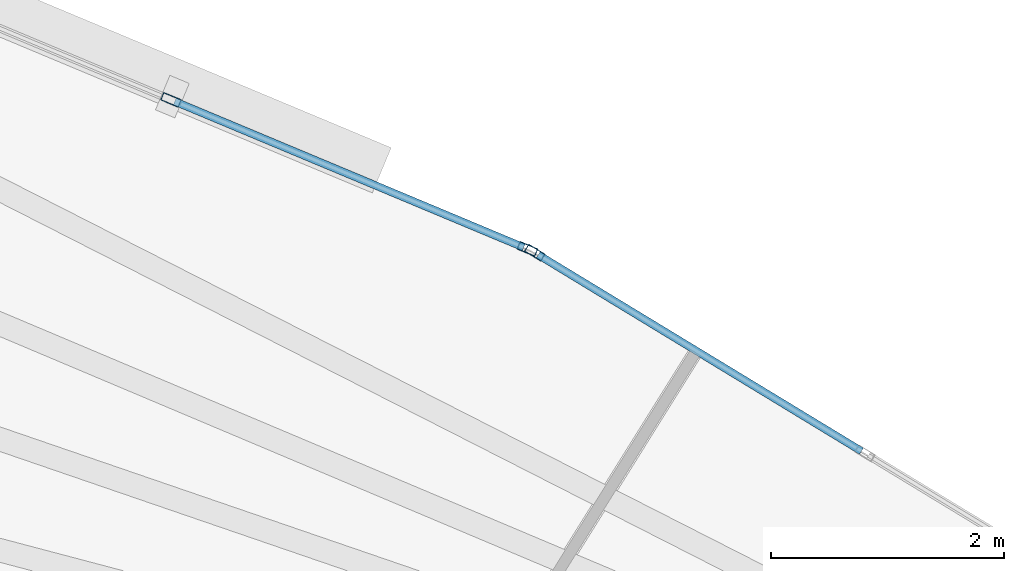
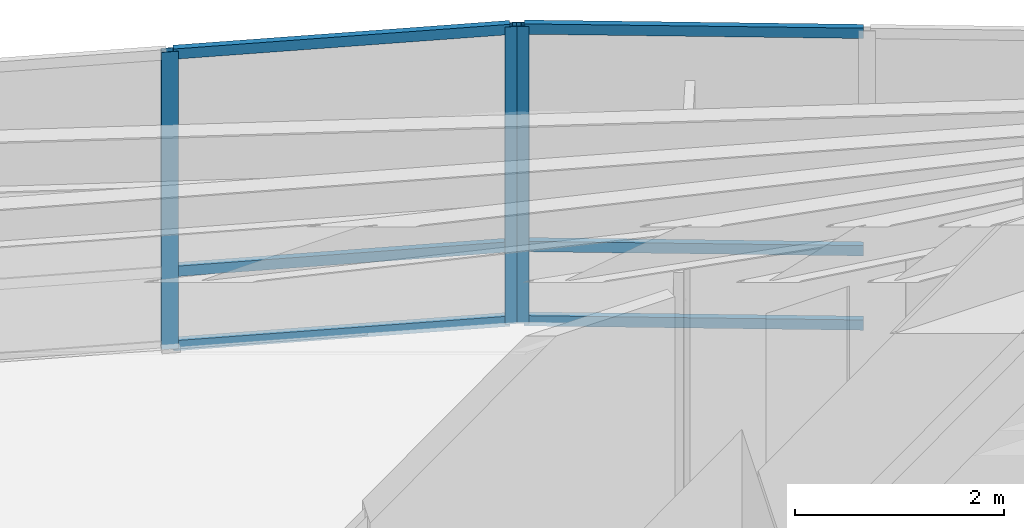
# One storey, part 12 of 18: 9 members, 2 elements without a shape of their own.
"""IFC4 building model written with IfcOpenShell, lengths in metres."""

from ifc_helpers import new_model, si_unit, direction, frame, origin, origin_2d, place, context, subcontext, project, spatial, hollow_rectangle, extrude, material, layer, layer_set, material_profile, profile_set, type_object, element, aggregate, save


model = new_model("IFC4")

# Units and contexts
model_context = context("Model", 3, precision=1e-05, world=origin(), true_north=direction((0.0, 1.0)))
body_context = subcontext(model_context, "Body", "Model", "MODEL_VIEW")
ifc_project = project(units=[si_unit("LENGTHUNIT", "METRE"), si_unit("AREAUNIT", "SQUARE_METRE"), si_unit("VOLUMEUNIT", "CUBIC_METRE"), si_unit("PLANEANGLEUNIT", "RADIAN"), si_unit("MASSUNIT", "GRAM", prefix="KILO")], contexts=[model_context])

# Site, building, storey
site_placement = place(None, origin())
site = spatial("IfcSite", under=ifc_project, at=site_placement, CompositionType="ELEMENT")
building_placement = place(site_placement, origin())
building = spatial("IfcBuilding", under=site, at=building_placement, Name="Menara Vayukalpa", CompositionType="ELEMENT")
storey_placement = place(building_placement, frame((0.0, 0.0, 31.320068359375)))
storey = spatial("IfcBuildingStorey", under=building, at=storey_placement, Name="L06", CompositionType="ELEMENT", Elevation=31.320068359375)

# Curtain wall, member
ifc_material_1 = material(Name="Anodised Terracotta Aluminium Alloy 6063-T6", Category="masonry")
ifc_layer = layer(ifc_material_1, 0.1650390625)
ifc_layer_set = layer_set([ifc_layer], Name="Anodised Terracotta Aluminium Alloy 6063-T6")
curtain_wall_type = type_object("IfcCurtainWallType", Name="CW-CW2", PredefinedType="USERDEFINED", material=ifc_layer_set)
curtain_wall_1_placement = place(storey_placement, origin())
curtain_wall_1 = element("IfcCurtainWall", 1, at=curtain_wall_1_placement, inside=storey, type_object=curtain_wall_type, Name="L06 Low Rise Terracotta Ribbon Curtain Wall CW2 04", ObjectType="UNITISED", PredefinedType="USERDEFINED")
ifc_material_2 = material(Name="Anodised Terracotta Aluminium Alloy 6063-T6", Category="masonry")
ifc_material_profile_1 = material_profile(ifc_material_2, hollow_rectangle(XDim=0.070068359375, YDim=0.1650390625, WallThickness=0.00390625, at=origin_2d()), Name="ALU 70x165x4")
ifc_profile_set_1 = profile_set([ifc_material_profile_1], Name="Anodised Terracotta Aluminium Alloy 6063-T6")
member_type_1 = type_object("IfcMemberType", Name="CWM-CW2", PredefinedType="MULLION", material=ifc_profile_set_1)
member_1_placement = place(storey_placement, frame((30.125, 32.30126953125, 0.0), z_axis=(0.0, 0.0, 1.0), x_axis=(-0.519181964377, -0.854663727945, 0.0)))
member_1 = element("IfcMember", 2, at=member_1_placement, type_object=member_type_1, Name="CW2 mullion 3", PredefinedType="MULLION", context=body_context, shape_type="SweptSolid", body=[
    extrude(hollow_rectangle(XDim=0.070068359375, YDim=0.1650390625, WallThickness=0.00390625, at=origin_2d()), origin(), (0.0, 0.0, 1.0), 3.469970703125),
])

# Curtain wall, members
curtain_wall_2_placement = place(storey_placement, origin())
curtain_wall_2 = element("IfcCurtainWall", 3, at=curtain_wall_2_placement, inside=storey, type_object=curtain_wall_type, Name="L06 Low Rise Terracotta Ribbon Curtain Wall CW2 05", ObjectType="UNITISED", PredefinedType="USERDEFINED")
member_2_placement = place(storey_placement, frame((30.062744140625, 32.3330078125, 0.0), z_axis=(0.0, 0.0, 1.0), x_axis=(-0.385895120445, -0.922542658101, 0.0)))
member_2 = element("IfcMember", 4, at=member_2_placement, type_object=member_type_1, Name="CW2 mullion 1", PredefinedType="MULLION", context=body_context, shape_type="SweptSolid", body=[
    extrude(hollow_rectangle(XDim=0.070068359375, YDim=0.1650390625, WallThickness=0.00390625, at=origin_2d()), origin(), (0.0, 0.0, 1.0), 3.469970703125),
])
member_3_placement = place(storey_placement, frame((27.0068359375, 33.611083984375, 0.0), z_axis=(0.0, 0.0, 1.0), x_axis=(-0.385895120445, -0.922542658101, 0.0)))
member_3 = element("IfcMember", 5, at=member_3_placement, type_object=member_type_1, Name="CW2 mullion 2", PredefinedType="MULLION", context=body_context, shape_type="SweptSolid", body=[
    extrude(hollow_rectangle(XDim=0.070068359375, YDim=0.1650390625, WallThickness=0.00390625, at=origin_2d()), origin(), (0.0, 0.0, 1.0), 3.469970703125),
])

# Member
ifc_material_3 = material(Name="Anodised Terracotta Aluminium Alloy 6063-T6", Category="masonry")
ifc_material_profile_2 = material_profile(ifc_material_3, hollow_rectangle(XDim=0.06494140625, YDim=0.1201171875, WallThickness=0.00341796875, at=origin_2d()), Name="ALU 65x120x3.5")
ifc_profile_set_2 = profile_set([ifc_material_profile_2], Name="Anodised Terracotta Aluminium Alloy 6063-T6")
member_type_2 = type_object("IfcMemberType", Name="CWT-CW2", PredefinedType="USERDEFINED", material=ifc_profile_set_2)
member_4_placement = place(storey_placement, frame((32.92626953125, 30.599609375, 0.032470703125), z_axis=(-0.854676552714, 0.519160851992, 0.0), x_axis=(-0.519160851992, -0.854676552714, 0.0)))
member_4 = element("IfcMember", 6, at=member_4_placement, type_object=member_type_2, Name="CW2 transom 2.1", ObjectType="TRANSOM", PredefinedType="USERDEFINED", context=body_context, shape_type="SweptSolid", body=[
    extrude(hollow_rectangle(XDim=0.06494140625, YDim=0.1201171875, WallThickness=0.00341796875, at=origin_2d()), origin(), (0.0, 0.0, 1.0), 3.242431640625),
])

member_5_placement = place(storey_placement, frame((32.92626953125, 30.599609375, 0.89990234375), z_axis=(-0.854676552714, 0.519160851992, 0.0), x_axis=(-0.519160851992, -0.854676552714, 0.0)))
member_5 = element("IfcMember", 7, at=member_5_placement, type_object=member_type_2, Name="CW2 transom 2.2", ObjectType="TRANSOM", PredefinedType="USERDEFINED", context=body_context, shape_type="SweptSolid", body=[
    extrude(hollow_rectangle(XDim=0.06494140625, YDim=0.1201171875, WallThickness=0.00341796875, at=origin_2d()), origin(), (0.0, 0.0, 1.0), 3.242431640625),
])

member_6_placement = place(storey_placement, frame((32.92626953125, 30.599609375, 3.4375), z_axis=(-0.854676552714, 0.519160851992, 0.0), x_axis=(-0.519160851992, -0.854676552714, 0.0)))
member_6 = element("IfcMember", 8, at=member_6_placement, type_object=member_type_2, Name="CW2 transom 2.3", ObjectType="TRANSOM", PredefinedType="USERDEFINED", context=body_context, shape_type="SweptSolid", body=[
    extrude(hollow_rectangle(XDim=0.06494140625, YDim=0.1201171875, WallThickness=0.00341796875, at=origin_2d()), origin(), (0.0, 0.0, 1.0), 3.242431640625),
])

aggregate(curtain_wall_1, [member_1, member_4, member_5, member_6])

member_7_placement = place(storey_placement, frame((30.030517578125, 32.346435546875, 0.032470703125), z_axis=(-0.922552588381, 0.385871379699, 0.0), x_axis=(-0.385871379699, -0.922552588381, 0.0)))
member_7 = element("IfcMember", 9, at=member_7_placement, type_object=member_type_2, Name="CW2 transom 1.1", ObjectType="TRANSOM", PredefinedType="USERDEFINED", context=body_context, shape_type="SweptSolid", body=[
    extrude(hollow_rectangle(XDim=0.06494140625, YDim=0.1201171875, WallThickness=0.00341796875, at=origin_2d()), origin(), (0.0, 0.0, 1.0), 3.24267578125),
])

member_8_placement = place(storey_placement, frame((30.030517578125, 32.346435546875, 0.89990234375), z_axis=(-0.922552588381, 0.385871379699, 0.0), x_axis=(-0.385871379699, -0.922552588381, 0.0)))
member_8 = element("IfcMember", 10, at=member_8_placement, type_object=member_type_2, Name="CW2 transom 1.2", ObjectType="TRANSOM", PredefinedType="USERDEFINED", context=body_context, shape_type="SweptSolid", body=[
    extrude(hollow_rectangle(XDim=0.06494140625, YDim=0.1201171875, WallThickness=0.00341796875, at=origin_2d()), origin(), (0.0, 0.0, 1.0), 3.24267578125),
])

member_9_placement = place(storey_placement, frame((30.030517578125, 32.346435546875, 3.4375), z_axis=(-0.922552588381, 0.385871379699, 0.0), x_axis=(-0.385871379699, -0.922552588381, 0.0)))
member_9 = element("IfcMember", 11, at=member_9_placement, type_object=member_type_2, Name="CW2 transom 1.3", ObjectType="TRANSOM", PredefinedType="USERDEFINED", context=body_context, shape_type="SweptSolid", body=[
    extrude(hollow_rectangle(XDim=0.06494140625, YDim=0.1201171875, WallThickness=0.00341796875, at=origin_2d()), origin(), (0.0, 0.0, 1.0), 3.24267578125),
])

aggregate(curtain_wall_2, [member_2, member_3, member_7, member_8, member_9])

save(model, "model.ifc")
